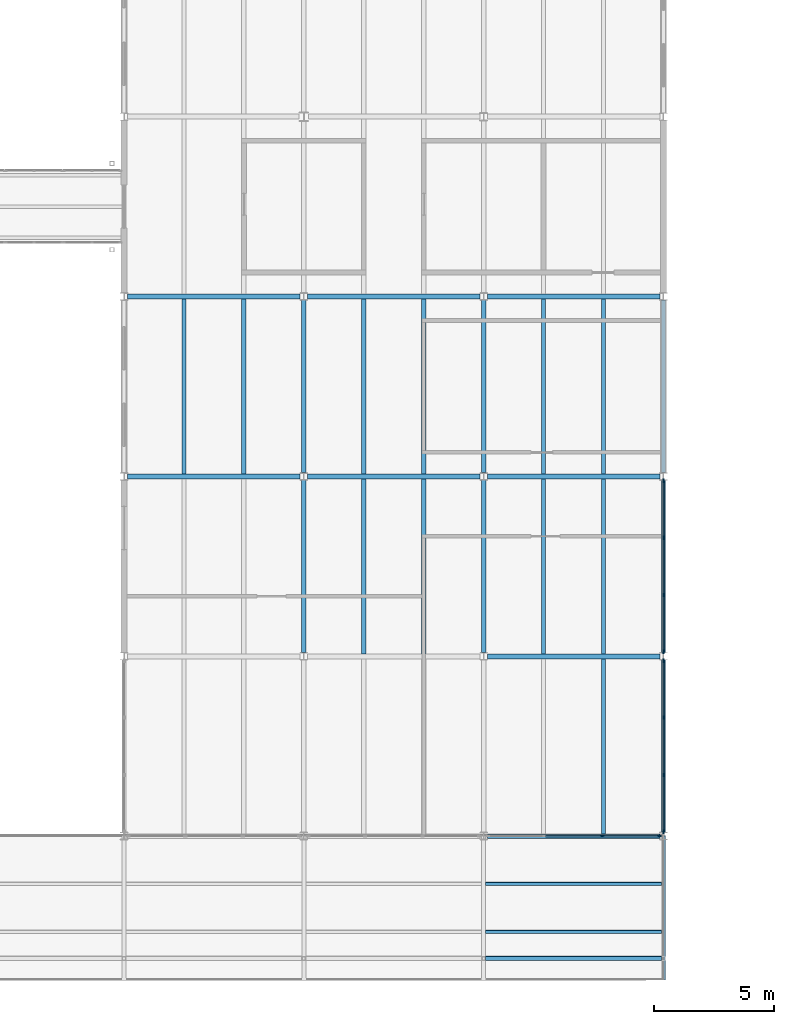
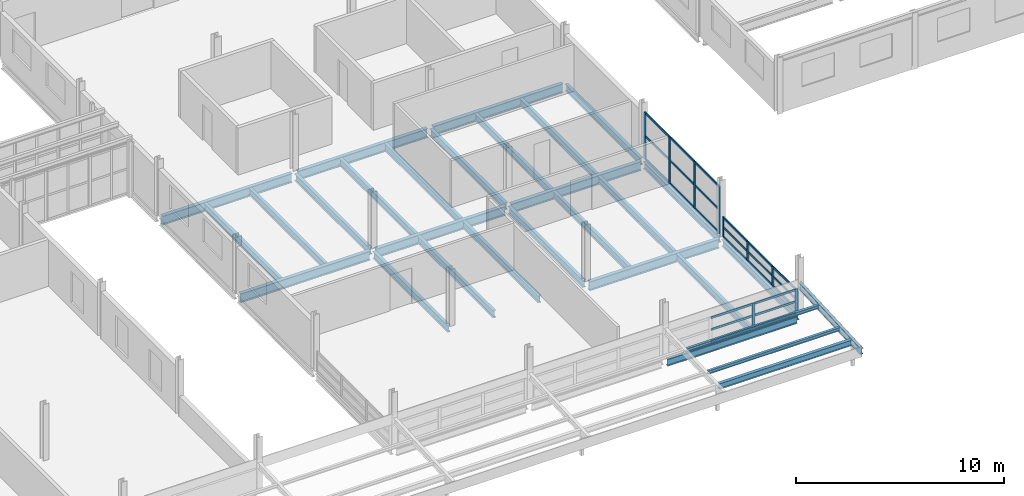
# One storey, part 49 of 214: 37 members, 27 beams, 3 elements without a shape of their own.
"""IFC4 building model written with IfcOpenShell, lengths in metres."""

from ifc_helpers import new_model, si_unit, direction, frame, origin, origin_2d, place, context, subcontext, project, spatial, rectangle, i_section, extrude, material, material_profile, profile_set, type_object, element, aggregate, save


model = new_model("IFC4")

# Units and contexts
model_context = context("Model", 3, precision=1e-05, world=origin(), true_north=direction((0.0, 1.0)))
body_context = subcontext(model_context, "Body", "Model", "MODEL_VIEW")
ifc_project = project(units=[si_unit("LENGTHUNIT", "METRE"), si_unit("AREAUNIT", "SQUARE_METRE"), si_unit("VOLUMEUNIT", "CUBIC_METRE"), si_unit("PLANEANGLEUNIT", "RADIAN"), si_unit("MASSUNIT", "GRAM", prefix="KILO")], contexts=[model_context])

# Site, building, storey
site_placement = place(None, origin())
site = spatial("IfcSite", under=ifc_project, at=site_placement, CompositionType="ELEMENT")
building_placement = place(site_placement, origin())
building = spatial("IfcBuilding", under=site, at=building_placement, Name="Parallax Yard Mobility Hub", CompositionType="ELEMENT")
storey_placement = place(building_placement, frame((0.0, 0.0, 3.300048828125)))
storey = spatial("IfcBuildingStorey", under=building, at=storey_placement, Name="L01", CompositionType="ELEMENT", Elevation=3.300048828125)

# Beam
ifc_material_1 = material(Name="Steel ASTM A992", Category="steel")
ifc_material_profile_1 = material_profile(ifc_material_1, i_section(OverallWidth=0.1708984375, OverallDepth=0.35498046875, WebThickness=0.007080078125, FlangeThickness=0.01171875, at=origin_2d()), Name="W360x51")
ifc_profile_set_1 = profile_set([ifc_material_profile_1], Name="Steel ASTM A992")
beam_type_1 = type_object("IfcBeamType", Name="Arcade edge beam W360x51", PredefinedType="SPANDREL", material=ifc_profile_set_1)
beam_1_placement = place(storey_placement, frame((165.08544921875, 2.408935546875, 1.378173828125), z_axis=(1.0, 0.0, 0.0), x_axis=(0.0, 0.998752343433, 0.049937525845)))
element("IfcBeam", 1, at=beam_1_placement, inside=storey, type_object=beam_type_1, Name="Arcade edge beam V6 bay 10", PredefinedType="SPANDREL", context=body_context, shape_type="SweptSolid", body=[
    extrude(i_section(OverallWidth=0.1708984375, OverallDepth=0.35498046875, WebThickness=0.007080078125, FlangeThickness=0.01171875, at=origin_2d()), origin(), (0.0, 0.0, 1.0), 7.3291015625),
])

# Members
ifc_material_profile_2 = material_profile(ifc_material_1, i_section(OverallWidth=0.133056640625, OverallDepth=0.20703125, WebThickness=0.005859375, FlangeThickness=0.00830078125, at=origin_2d()), Name="W200x27")
ifc_profile_set_2 = profile_set([ifc_material_profile_2], Name="Steel ASTM A992")
member_type_1 = type_object("IfcMemberType", Name="Arcade purlin W200x27", PredefinedType="PURLIN", material=ifc_profile_set_2)
for number, where, z_axis, x_axis, name in (
    (2, (165.08544921875, 3.505126953125, 1.507080078125), (1.0, 0.0, 0.0), (0.0, 0.998752343433, 0.049937525845), "Arcade purlin V6 bay 10 line 1"),
    (3, (165.08544921875, 5.505126953125, 1.60693359375), (1.0, 0.0, 0.0), (0.0, 0.998752343433, 0.049937525845), "Arcade purlin V6 bay 10 line 2"),
):
    element("IfcMember", number, at=place(storey_placement, frame(where, z_axis=z_axis, x_axis=x_axis)), inside=storey, type_object=member_type_1, Name=name, PredefinedType="PURLIN", context=body_context, shape_type="SweptSolid", body=[
        extrude(i_section(OverallWidth=0.133056640625, OverallDepth=0.20703125, WebThickness=0.005859375, FlangeThickness=0.00830078125, at=origin_2d()), origin(), (0.0, 0.0, 1.0), 7.3291015625),
    ])
ifc_material_profile_3 = material_profile(ifc_material_1, i_section(OverallWidth=0.1708984375, OverallDepth=0.35498046875, WebThickness=0.007080078125, FlangeThickness=0.01171875, at=origin_2d()), Name="W360x51")
ifc_profile_set_3 = profile_set([ifc_material_profile_3], Name="Steel ASTM A992")
member_type_2 = type_object("IfcMemberType", Name="Arcade rafter W360x51", PredefinedType="RAFTER", material=ifc_profile_set_3)
member_1_placement = place(storey_placement, frame((172.5, 1.518798828125, 1.333740234375), z_axis=(0.0, 0.998753861131, 0.049907162574), x_axis=(-1.0, 0.0, 0.0)))
element("IfcMember", 4, at=member_1_placement, inside=storey, type_object=member_type_2, Name="Arcade rafter V6 11", PredefinedType="RAFTER", context=body_context, shape_type="SweptSolid", body=[
    extrude(i_section(OverallWidth=0.1708984375, OverallDepth=0.35498046875, WebThickness=0.007080078125, FlangeThickness=0.01171875, at=origin_2d()), origin(), (0.0, 0.0, 1.0), 5.99755859375),
])

# Curtain wall, members
ifc_material_2 = material(Name="Thermally broken aluminium curtain wall system", Category="aluminium")
curtain_wall_type = type_object("IfcCurtainWallType", Name="Curtain wall run 60 x 160 frame", PredefinedType="NOTDEFINED", material=ifc_material_2)
curtain_wall_1_placement = place(storey_placement, origin())
curtain_wall_1 = element("IfcCurtainWall", 5, at=curtain_wall_1_placement, inside=storey, type_object=curtain_wall_type, Name="Curtain wall run Bicycle and shared-mobility hall south bay 3 level L01", PredefinedType="NOTDEFINED")
ifc_material_3 = material(Name="Extruded aluminium", Category="aluminium")
ifc_material_profile_4 = material_profile(ifc_material_3, rectangle(XDim=0.06005859375, YDim=0.159912109375, at=origin_2d()), Name="Mullion 60 x 160")
ifc_profile_set_4 = profile_set([ifc_material_profile_4], Name="Extruded aluminium")
member_type_3 = type_object("IfcMemberType", Name="Mullion 60 x 160", PredefinedType="MULLION", material=ifc_profile_set_4)
member_2_placement = place(storey_placement, frame((169.94873046875, 7.5, 0.0), z_axis=(0.0, 0.0, 1.0), x_axis=(0.0, 1.0, 0.0)))
member_2 = element("IfcMember", 6, at=member_2_placement, type_object=member_type_3, Name="CW1 mullion 3", PredefinedType="MULLION", context=body_context, shape_type="SweptSolid", body=[
    extrude(rectangle(XDim=0.06005859375, YDim=0.159912109375, at=origin_2d()), origin(), (0.0, 0.0, 1.0), 1.4404296875),
])
member_3_placement = place(storey_placement, frame((172.31640625, 7.5, 0.0), z_axis=(0.0, 0.0, 1.0), x_axis=(0.0, 1.0, 0.0)))
member_3 = element("IfcMember", 7, at=member_3_placement, type_object=member_type_3, Name="CW1 mullion 4", PredefinedType="MULLION", context=body_context, shape_type="SweptSolid", body=[
    extrude(rectangle(XDim=0.06005859375, YDim=0.159912109375, at=origin_2d()), origin(), (0.0, 0.0, 1.0), 1.4404296875),
])

curtain_wall_2_placement = place(storey_placement, origin())
curtain_wall_2 = element("IfcCurtainWall", 8, at=curtain_wall_2_placement, inside=storey, type_object=curtain_wall_type, Name="Curtain wall run Bicycle and shared-mobility hall east bay 1 level L01", PredefinedType="NOTDEFINED")
member_4_placement = place(storey_placement, frame((172.5, 7.68359375, 0.0), z_axis=(0.0, 0.0, 1.0), x_axis=(-1.0, 0.0, 0.0)))
member_4 = element("IfcMember", 9, at=member_4_placement, type_object=member_type_3, Name="CW1 mullion 1", PredefinedType="MULLION", context=body_context, shape_type="SweptSolid", body=[
    extrude(rectangle(XDim=0.06005859375, YDim=0.159912109375, at=origin_2d()), origin(), (0.0, 0.0, 1.0), 1.15625),
])
member_5_placement = place(storey_placement, frame((172.5, 10.05126953125, 0.0), z_axis=(0.0, 0.0, 1.0), x_axis=(-1.0, 0.0, 0.0)))
member_5 = element("IfcMember", 10, at=member_5_placement, type_object=member_type_3, Name="CW1 mullion 2", PredefinedType="MULLION", context=body_context, shape_type="SweptSolid", body=[
    extrude(rectangle(XDim=0.06005859375, YDim=0.159912109375, at=origin_2d()), origin(), (0.0, 0.0, 1.0), 1.15625),
])
member_6_placement = place(storey_placement, frame((172.5, 12.44873046875, 0.0), z_axis=(0.0, 0.0, 1.0), x_axis=(-1.0, 0.0, 0.0)))
member_6 = element("IfcMember", 11, at=member_6_placement, type_object=member_type_3, Name="CW1 mullion 3", PredefinedType="MULLION", context=body_context, shape_type="SweptSolid", body=[
    extrude(rectangle(XDim=0.06005859375, YDim=0.159912109375, at=origin_2d()), origin(), (0.0, 0.0, 1.0), 1.15625),
])
member_7_placement = place(storey_placement, frame((172.5, 14.81640625, 0.0), z_axis=(0.0, 0.0, 1.0), x_axis=(-1.0, 0.0, 0.0)))
member_7 = element("IfcMember", 12, at=member_7_placement, type_object=member_type_3, Name="CW1 mullion 4", PredefinedType="MULLION", context=body_context, shape_type="SweptSolid", body=[
    extrude(rectangle(XDim=0.06005859375, YDim=0.159912109375, at=origin_2d()), origin(), (0.0, 0.0, 1.0), 1.15625),
])

curtain_wall_3_placement = place(storey_placement, origin())
curtain_wall_3 = element("IfcCurtainWall", 13, at=curtain_wall_3_placement, inside=storey, type_object=curtain_wall_type, Name="Curtain wall run Bicycle and shared-mobility hall east bay 2 level L01", PredefinedType="NOTDEFINED")
member_8_placement = place(storey_placement, frame((172.5, 15.18359375, 0.0), z_axis=(0.0, 0.0, 1.0), x_axis=(-1.0, 0.0, 0.0)))
member_8 = element("IfcMember", 14, at=member_8_placement, type_object=member_type_3, Name="CW1 mullion 1", PredefinedType="MULLION", context=body_context, shape_type="SweptSolid", body=[
    extrude(rectangle(XDim=0.06005859375, YDim=0.159912109375, at=origin_2d()), origin(), (0.0, 0.0, 1.0), 2.7509765625),
])
member_9_placement = place(storey_placement, frame((172.5, 17.55126953125, 0.0), z_axis=(0.0, 0.0, 1.0), x_axis=(-1.0, 0.0, 0.0)))
member_9 = element("IfcMember", 15, at=member_9_placement, type_object=member_type_3, Name="CW1 mullion 2", PredefinedType="MULLION", context=body_context, shape_type="SweptSolid", body=[
    extrude(rectangle(XDim=0.06005859375, YDim=0.159912109375, at=origin_2d()), origin(), (0.0, 0.0, 1.0), 2.7509765625),
])
member_10_placement = place(storey_placement, frame((172.5, 19.94873046875, 0.0), z_axis=(0.0, 0.0, 1.0), x_axis=(-1.0, 0.0, 0.0)))
member_10 = element("IfcMember", 16, at=member_10_placement, type_object=member_type_3, Name="CW1 mullion 3", PredefinedType="MULLION", context=body_context, shape_type="SweptSolid", body=[
    extrude(rectangle(XDim=0.06005859375, YDim=0.159912109375, at=origin_2d()), origin(), (0.0, 0.0, 1.0), 2.7509765625),
])
member_11_placement = place(storey_placement, frame((172.5, 22.31640625, 0.0), z_axis=(0.0, 0.0, 1.0), x_axis=(-1.0, 0.0, 0.0)))
member_11 = element("IfcMember", 17, at=member_11_placement, type_object=member_type_3, Name="CW1 mullion 4", PredefinedType="MULLION", context=body_context, shape_type="SweptSolid", body=[
    extrude(rectangle(XDim=0.06005859375, YDim=0.159912109375, at=origin_2d()), origin(), (0.0, 0.0, 1.0), 2.7509765625),
])

# Member
ifc_material_profile_5 = material_profile(ifc_material_3, rectangle(XDim=0.06005859375, YDim=0.1201171875, at=origin_2d()), Name="Transom 60 x 120")
ifc_profile_set_5 = profile_set([ifc_material_profile_5], Name="Extruded aluminium")
member_type_4 = type_object("IfcMemberType", Name="Transom 60 x 120", PredefinedType="USERDEFINED", material=ifc_profile_set_5)
member_12_placement = place(storey_placement, frame((167.5810546875, 7.5, 0.030029296875), z_axis=(1.0, 0.0, 0.0), x_axis=(0.0, 1.0, 0.0)))
member_12 = element("IfcMember", 18, at=member_12_placement, type_object=member_type_4, Name="CW1 transom 2.1", ObjectType="TRANSOM", PredefinedType="USERDEFINED", context=body_context, shape_type="SweptSolid", body=[
    extrude(rectangle(XDim=0.06005859375, YDim=0.1201171875, at=origin_2d()), origin(), (0.0, 0.0, 1.0), 2.337890625),
])

member_13_placement = place(storey_placement, frame((167.5810546875, 7.5, 0.72021484375), z_axis=(1.0, 0.0, 0.0), x_axis=(0.0, 1.0, 0.0)))
member_13 = element("IfcMember", 19, at=member_13_placement, type_object=member_type_4, Name="CW1 transom 2.2", ObjectType="TRANSOM", PredefinedType="USERDEFINED", context=body_context, shape_type="SweptSolid", body=[
    extrude(rectangle(XDim=0.06005859375, YDim=0.1201171875, at=origin_2d()), origin(), (0.0, 0.0, 1.0), 2.337890625),
])

member_14_placement = place(storey_placement, frame((167.5810546875, 7.5, 1.410400390625), z_axis=(1.0, 0.0, 0.0), x_axis=(0.0, 1.0, 0.0)))
member_14 = element("IfcMember", 20, at=member_14_placement, type_object=member_type_4, Name="CW1 transom 2.3", ObjectType="TRANSOM", PredefinedType="USERDEFINED", context=body_context, shape_type="SweptSolid", body=[
    extrude(rectangle(XDim=0.06005859375, YDim=0.1201171875, at=origin_2d()), origin(), (0.0, 0.0, 1.0), 2.337890625),
])

member_15_placement = place(storey_placement, frame((169.978759765625, 7.5, 0.030029296875), z_axis=(1.0, 0.0, 0.0), x_axis=(0.0, 1.0, 0.0)))
member_15 = element("IfcMember", 21, at=member_15_placement, type_object=member_type_4, Name="CW1 transom 3.1", ObjectType="TRANSOM", PredefinedType="USERDEFINED", context=body_context, shape_type="SweptSolid", body=[
    extrude(rectangle(XDim=0.06005859375, YDim=0.1201171875, at=origin_2d()), origin(), (0.0, 0.0, 1.0), 2.307861328125),
])

member_16_placement = place(storey_placement, frame((169.978759765625, 7.5, 0.72021484375), z_axis=(1.0, 0.0, 0.0), x_axis=(0.0, 1.0, 0.0)))
member_16 = element("IfcMember", 22, at=member_16_placement, type_object=member_type_4, Name="CW1 transom 3.2", ObjectType="TRANSOM", PredefinedType="USERDEFINED", context=body_context, shape_type="SweptSolid", body=[
    extrude(rectangle(XDim=0.06005859375, YDim=0.1201171875, at=origin_2d()), origin(), (0.0, 0.0, 1.0), 2.307861328125),
])

member_17_placement = place(storey_placement, frame((169.978759765625, 7.5, 1.410400390625), z_axis=(1.0, 0.0, 0.0), x_axis=(0.0, 1.0, 0.0)))
member_17 = element("IfcMember", 23, at=member_17_placement, type_object=member_type_4, Name="CW1 transom 3.3", ObjectType="TRANSOM", PredefinedType="USERDEFINED", context=body_context, shape_type="SweptSolid", body=[
    extrude(rectangle(XDim=0.06005859375, YDim=0.1201171875, at=origin_2d()), origin(), (0.0, 0.0, 1.0), 2.307861328125),
])

aggregate(curtain_wall_1, [member_2, member_3, member_12, member_13, member_14, member_15, member_16, member_17])

member_18_placement = place(storey_placement, frame((172.5, 7.71337890625, 0.030029296875), z_axis=(0.0, 1.0, 0.0), x_axis=(-1.0, 0.0, 0.0)))
member_18 = element("IfcMember", 24, at=member_18_placement, type_object=member_type_4, Name="CW1 transom 1.1", ObjectType="TRANSOM", PredefinedType="USERDEFINED", context=body_context, shape_type="SweptSolid", body=[
    extrude(rectangle(XDim=0.06005859375, YDim=0.1201171875, at=origin_2d()), origin(), (0.0, 0.0, 1.0), 2.307861328125),
])

member_19_placement = place(storey_placement, frame((172.5, 7.71337890625, 0.578125), z_axis=(0.0, 1.0, 0.0), x_axis=(-1.0, 0.0, 0.0)))
member_19 = element("IfcMember", 25, at=member_19_placement, type_object=member_type_4, Name="CW1 transom 1.2", ObjectType="TRANSOM", PredefinedType="USERDEFINED", context=body_context, shape_type="SweptSolid", body=[
    extrude(rectangle(XDim=0.06005859375, YDim=0.1201171875, at=origin_2d()), origin(), (0.0, 0.0, 1.0), 2.307861328125),
])

member_20_placement = place(storey_placement, frame((172.5, 7.71337890625, 1.126220703125), z_axis=(0.0, 1.0, 0.0), x_axis=(-1.0, 0.0, 0.0)))
member_20 = element("IfcMember", 26, at=member_20_placement, type_object=member_type_4, Name="CW1 transom 1.3", ObjectType="TRANSOM", PredefinedType="USERDEFINED", context=body_context, shape_type="SweptSolid", body=[
    extrude(rectangle(XDim=0.06005859375, YDim=0.1201171875, at=origin_2d()), origin(), (0.0, 0.0, 1.0), 2.307861328125),
])

member_21_placement = place(storey_placement, frame((172.5, 10.0810546875, 0.030029296875), z_axis=(0.0, 1.0, 0.0), x_axis=(-1.0, 0.0, 0.0)))
member_21 = element("IfcMember", 27, at=member_21_placement, type_object=member_type_4, Name="CW1 transom 2.1", ObjectType="TRANSOM", PredefinedType="USERDEFINED", context=body_context, shape_type="SweptSolid", body=[
    extrude(rectangle(XDim=0.06005859375, YDim=0.1201171875, at=origin_2d()), origin(), (0.0, 0.0, 1.0), 2.337890625),
])

member_22_placement = place(storey_placement, frame((172.5, 10.0810546875, 0.578125), z_axis=(0.0, 1.0, 0.0), x_axis=(-1.0, 0.0, 0.0)))
member_22 = element("IfcMember", 28, at=member_22_placement, type_object=member_type_4, Name="CW1 transom 2.2", ObjectType="TRANSOM", PredefinedType="USERDEFINED", context=body_context, shape_type="SweptSolid", body=[
    extrude(rectangle(XDim=0.06005859375, YDim=0.1201171875, at=origin_2d()), origin(), (0.0, 0.0, 1.0), 2.337890625),
])

member_23_placement = place(storey_placement, frame((172.5, 10.0810546875, 1.126220703125), z_axis=(0.0, 1.0, 0.0), x_axis=(-1.0, 0.0, 0.0)))
member_23 = element("IfcMember", 29, at=member_23_placement, type_object=member_type_4, Name="CW1 transom 2.3", ObjectType="TRANSOM", PredefinedType="USERDEFINED", context=body_context, shape_type="SweptSolid", body=[
    extrude(rectangle(XDim=0.06005859375, YDim=0.1201171875, at=origin_2d()), origin(), (0.0, 0.0, 1.0), 2.337890625),
])

member_24_placement = place(storey_placement, frame((172.5, 12.478759765625, 0.030029296875), z_axis=(0.0, 1.0, 0.0), x_axis=(-1.0, 0.0, 0.0)))
member_24 = element("IfcMember", 30, at=member_24_placement, type_object=member_type_4, Name="CW1 transom 3.1", ObjectType="TRANSOM", PredefinedType="USERDEFINED", context=body_context, shape_type="SweptSolid", body=[
    extrude(rectangle(XDim=0.06005859375, YDim=0.1201171875, at=origin_2d()), origin(), (0.0, 0.0, 1.0), 2.307861328125),
])

member_25_placement = place(storey_placement, frame((172.5, 12.478759765625, 0.578125), z_axis=(0.0, 1.0, 0.0), x_axis=(-1.0, 0.0, 0.0)))
member_25 = element("IfcMember", 31, at=member_25_placement, type_object=member_type_4, Name="CW1 transom 3.2", ObjectType="TRANSOM", PredefinedType="USERDEFINED", context=body_context, shape_type="SweptSolid", body=[
    extrude(rectangle(XDim=0.06005859375, YDim=0.1201171875, at=origin_2d()), origin(), (0.0, 0.0, 1.0), 2.307861328125),
])

member_26_placement = place(storey_placement, frame((172.5, 12.478759765625, 1.126220703125), z_axis=(0.0, 1.0, 0.0), x_axis=(-1.0, 0.0, 0.0)))
member_26 = element("IfcMember", 32, at=member_26_placement, type_object=member_type_4, Name="CW1 transom 3.3", ObjectType="TRANSOM", PredefinedType="USERDEFINED", context=body_context, shape_type="SweptSolid", body=[
    extrude(rectangle(XDim=0.06005859375, YDim=0.1201171875, at=origin_2d()), origin(), (0.0, 0.0, 1.0), 2.307861328125),
])

aggregate(curtain_wall_2, [member_4, member_5, member_6, member_7, member_18, member_19, member_20, member_21, member_22, member_23, member_24, member_25, member_26])

member_27_placement = place(storey_placement, frame((172.5, 15.21337890625, 0.030029296875), z_axis=(0.0, 1.0, 0.0), x_axis=(-1.0, 0.0, 0.0)))
member_27 = element("IfcMember", 33, at=member_27_placement, type_object=member_type_4, Name="CW1 transom 1.1", ObjectType="TRANSOM", PredefinedType="USERDEFINED", context=body_context, shape_type="SweptSolid", body=[
    extrude(rectangle(XDim=0.06005859375, YDim=0.1201171875, at=origin_2d()), origin(), (0.0, 0.0, 1.0), 2.307861328125),
])

member_28_placement = place(storey_placement, frame((172.5, 15.21337890625, 1.37548828125), z_axis=(0.0, 1.0, 0.0), x_axis=(-1.0, 0.0, 0.0)))
member_28 = element("IfcMember", 34, at=member_28_placement, type_object=member_type_4, Name="CW1 transom 1.2", ObjectType="TRANSOM", PredefinedType="USERDEFINED", context=body_context, shape_type="SweptSolid", body=[
    extrude(rectangle(XDim=0.06005859375, YDim=0.1201171875, at=origin_2d()), origin(), (0.0, 0.0, 1.0), 2.307861328125),
])

member_29_placement = place(storey_placement, frame((172.5, 15.21337890625, 2.720947265625), z_axis=(0.0, 1.0, 0.0), x_axis=(-1.0, 0.0, 0.0)))
member_29 = element("IfcMember", 35, at=member_29_placement, type_object=member_type_4, Name="CW1 transom 1.3", ObjectType="TRANSOM", PredefinedType="USERDEFINED", context=body_context, shape_type="SweptSolid", body=[
    extrude(rectangle(XDim=0.06005859375, YDim=0.1201171875, at=origin_2d()), origin(), (0.0, 0.0, 1.0), 2.307861328125),
])

member_30_placement = place(storey_placement, frame((172.5, 17.5810546875, 0.030029296875), z_axis=(0.0, 1.0, 0.0), x_axis=(-1.0, 0.0, 0.0)))
member_30 = element("IfcMember", 36, at=member_30_placement, type_object=member_type_4, Name="CW1 transom 2.1", ObjectType="TRANSOM", PredefinedType="USERDEFINED", context=body_context, shape_type="SweptSolid", body=[
    extrude(rectangle(XDim=0.06005859375, YDim=0.1201171875, at=origin_2d()), origin(), (0.0, 0.0, 1.0), 2.337890625),
])

member_31_placement = place(storey_placement, frame((172.5, 17.5810546875, 1.37548828125), z_axis=(0.0, 1.0, 0.0), x_axis=(-1.0, 0.0, 0.0)))
member_31 = element("IfcMember", 37, at=member_31_placement, type_object=member_type_4, Name="CW1 transom 2.2", ObjectType="TRANSOM", PredefinedType="USERDEFINED", context=body_context, shape_type="SweptSolid", body=[
    extrude(rectangle(XDim=0.06005859375, YDim=0.1201171875, at=origin_2d()), origin(), (0.0, 0.0, 1.0), 2.337890625),
])

member_32_placement = place(storey_placement, frame((172.5, 17.5810546875, 2.720947265625), z_axis=(0.0, 1.0, 0.0), x_axis=(-1.0, 0.0, 0.0)))
member_32 = element("IfcMember", 38, at=member_32_placement, type_object=member_type_4, Name="CW1 transom 2.3", ObjectType="TRANSOM", PredefinedType="USERDEFINED", context=body_context, shape_type="SweptSolid", body=[
    extrude(rectangle(XDim=0.06005859375, YDim=0.1201171875, at=origin_2d()), origin(), (0.0, 0.0, 1.0), 2.337890625),
])

member_33_placement = place(storey_placement, frame((172.5, 19.978759765625, 0.030029296875), z_axis=(0.0, 1.0, 0.0), x_axis=(-1.0, 0.0, 0.0)))
member_33 = element("IfcMember", 39, at=member_33_placement, type_object=member_type_4, Name="CW1 transom 3.1", ObjectType="TRANSOM", PredefinedType="USERDEFINED", context=body_context, shape_type="SweptSolid", body=[
    extrude(rectangle(XDim=0.06005859375, YDim=0.1201171875, at=origin_2d()), origin(), (0.0, 0.0, 1.0), 2.307861328125),
])

member_34_placement = place(storey_placement, frame((172.5, 19.978759765625, 1.37548828125), z_axis=(0.0, 1.0, 0.0), x_axis=(-1.0, 0.0, 0.0)))
member_34 = element("IfcMember", 40, at=member_34_placement, type_object=member_type_4, Name="CW1 transom 3.2", ObjectType="TRANSOM", PredefinedType="USERDEFINED", context=body_context, shape_type="SweptSolid", body=[
    extrude(rectangle(XDim=0.06005859375, YDim=0.1201171875, at=origin_2d()), origin(), (0.0, 0.0, 1.0), 2.307861328125),
])

member_35_placement = place(storey_placement, frame((172.5, 19.978759765625, 2.720947265625), z_axis=(0.0, 1.0, 0.0), x_axis=(-1.0, 0.0, 0.0)))
member_35 = element("IfcMember", 41, at=member_35_placement, type_object=member_type_4, Name="CW1 transom 3.3", ObjectType="TRANSOM", PredefinedType="USERDEFINED", context=body_context, shape_type="SweptSolid", body=[
    extrude(rectangle(XDim=0.06005859375, YDim=0.1201171875, at=origin_2d()), origin(), (0.0, 0.0, 1.0), 2.307861328125),
])

aggregate(curtain_wall_3, [member_8, member_9, member_10, member_11, member_27, member_28, member_29, member_30, member_31, member_32, member_33, member_34, member_35])

# Beams
ifc_material_profile_6 = material_profile(ifc_material_1, i_section(OverallWidth=0.177978515625, OverallDepth=0.406005859375, WebThickness=0.0078125, FlangeThickness=0.0126953125, FilletRadius=0.01025390625, at=origin_2d()), Name="W410x60")
ifc_profile_set_6 = profile_set([ifc_material_profile_6], Name="Steel ASTM A992")
beam_type_2 = type_object("IfcBeamType", Name="W410x60 secondary beam", PredefinedType="JOIST", material=ifc_profile_set_6)
for number, where, z_axis, x_axis, name in (
    (42, (152.5, 22.6044921875, -0.343017578125), (0.0, 1.0, 0.0), (-1.0, 0.0, 0.0), "Secondary beam B1 level L01, 2.5 m east of line 21 of bicycle and shared-mobility hall, span 3"),
    (43, (160.0, 15.1044921875, -0.343017578125), (0.0, 1.0, 0.0), (-1.0, 0.0, 0.0), "Secondary beam B1 level L01, 2.5 m east of line 22 of bicycle and shared-mobility hall, span 2"),
    (44, (160.0, 22.6044921875, -0.343017578125), (0.0, 1.0, 0.0), (-1.0, 0.0, 0.0), "Secondary beam B1 level L01, 2.5 m east of line 22 of bicycle and shared-mobility hall, span 3"),
    (45, (167.5, 15.1044921875, -0.343017578125), (0.0, 1.0, 0.0), (-1.0, 0.0, 0.0), "Secondary beam B1 level L01, 2.5 m east of line 23 of bicycle and shared-mobility hall, span 2"),
    (46, (167.5, 22.6044921875, -0.343017578125), (0.0, 1.0, 0.0), (-1.0, 0.0, 0.0), "Secondary beam B1 level L01, 2.5 m east of line 23 of bicycle and shared-mobility hall, span 3"),
    (47, (155.0, 22.6044921875, -0.343017578125), (0.0, 1.0, 0.0), (-1.0, 0.0, 0.0), "Secondary beam B1 level L01, 5 m east of line 21 of bicycle and shared-mobility hall, span 3"),
    (48, (162.5, 15.1044921875, -0.343017578125), (0.0, 1.0, 0.0), (-1.0, 0.0, 0.0), "Secondary beam B1 level L01, 5 m east of line 22 of bicycle and shared-mobility hall, span 2"),
    (49, (162.5, 22.6044921875, -0.343017578125), (0.0, 1.0, 0.0), (-1.0, 0.0, 0.0), "Secondary beam B1 level L01, 5 m east of line 22 of bicycle and shared-mobility hall, span 3"),
):
    element("IfcBeam", number, at=place(storey_placement, frame(where, z_axis=z_axis, x_axis=x_axis)), inside=storey, type_object=beam_type_2, Name=name, PredefinedType="JOIST", context=body_context, shape_type="SweptSolid", body=[
        extrude(i_section(OverallWidth=0.177978515625, OverallDepth=0.406005859375, WebThickness=0.0078125, FlangeThickness=0.0126953125, FilletRadius=0.01025390625, at=origin_2d()), origin(), (0.0, 0.0, 1.0), 7.291015625),
    ])
beam_2_placement = place(storey_placement, frame((170.0, 7.589599609375, -0.343017578125), z_axis=(0.0, 1.0, 0.0), x_axis=(-1.0, 0.0, 0.0)))
element("IfcBeam", 50, at=beam_2_placement, inside=storey, type_object=beam_type_2, Name="Secondary beam B1 level L01, 5 m east of line 23 of bicycle and shared-mobility hall, span 1", PredefinedType="JOIST", context=body_context, shape_type="SweptSolid", body=[
    extrude(i_section(OverallWidth=0.177978515625, OverallDepth=0.406005859375, WebThickness=0.0078125, FlangeThickness=0.0126953125, FilletRadius=0.01025390625, at=origin_2d()), origin(), (0.0, 0.0, 1.0), 7.305908203125),
])
for number, where, z_axis, x_axis, name in (
    (51, (170.0, 15.1044921875, -0.343017578125), (0.0, 1.0, 0.0), (-1.0, 0.0, 0.0), "Secondary beam B1 level L01, 5 m east of line 23 of bicycle and shared-mobility hall, span 2"),
    (52, (170.0, 22.6044921875, -0.343017578125), (0.0, 1.0, 0.0), (-1.0, 0.0, 0.0), "Secondary beam B1 level L01, 5 m east of line 23 of bicycle and shared-mobility hall, span 3"),
):
    element("IfcBeam", number, at=place(storey_placement, frame(where, z_axis=z_axis, x_axis=x_axis)), inside=storey, type_object=beam_type_2, Name=name, PredefinedType="JOIST", context=body_context, shape_type="SweptSolid", body=[
        extrude(i_section(OverallWidth=0.177978515625, OverallDepth=0.406005859375, WebThickness=0.0078125, FlangeThickness=0.0126953125, FilletRadius=0.01025390625, at=origin_2d()), origin(), (0.0, 0.0, 1.0), 7.291015625),
    ])
ifc_material_profile_7 = material_profile(ifc_material_1, i_section(OverallWidth=0.178955078125, OverallDepth=0.408935546875, WebThickness=0.0087890625, FlangeThickness=0.014404296875, FilletRadius=0.01025390625, at=origin_2d()), Name="W410x67")
ifc_profile_set_7 = profile_set([ifc_material_profile_7], Name="Steel ASTM A992")
beam_type_3 = type_object("IfcBeamType", Name="W410x67 edge beam", PredefinedType="SPANDREL", material=ifc_profile_set_7)
for number, where, z_axis, x_axis, name in (
    (53, (172.5, 7.653564453125, -0.344482421875), (0.0, 1.0, 0.0), (-1.0, 0.0, 0.0), "Edge beam SB3 level L01, line 24 of bicycle and shared-mobility hall, span 1"),
    (54, (172.5, 15.153564453125, -0.344482421875), (0.0, 1.0, 0.0), (-1.0, 0.0, 0.0), "Edge beam SB3 level L01, line 24 of bicycle and shared-mobility hall, span 2"),
    (55, (172.5, 22.653564453125, -0.344482421875), (0.0, 1.0, 0.0), (-1.0, 0.0, 0.0), "Edge beam SB3 level L01, line 24 of bicycle and shared-mobility hall, span 3"),
):
    element("IfcBeam", number, at=place(storey_placement, frame(where, z_axis=z_axis, x_axis=x_axis)), inside=storey, type_object=beam_type_3, Name=name, PredefinedType="SPANDREL", context=body_context, shape_type="SweptSolid", body=[
        extrude(i_section(OverallWidth=0.178955078125, OverallDepth=0.408935546875, WebThickness=0.0087890625, FlangeThickness=0.014404296875, FilletRadius=0.01025390625, at=origin_2d()), origin(), (0.0, 0.0, 1.0), 7.19287109375),
    ])
beam_3_placement = place(storey_placement, frame((165.152587890625, 7.5, -0.344482421875), z_axis=(1.0, 0.0, 0.0), x_axis=(0.0, 1.0, 0.0)))
element("IfcBeam", 56, at=beam_3_placement, inside=storey, type_object=beam_type_3, Name="Edge beam SB3 level L01, line B of bicycle and shared-mobility hall, span 3", PredefinedType="SPANDREL", context=body_context, shape_type="SweptSolid", body=[
    extrude(i_section(OverallWidth=0.178955078125, OverallDepth=0.408935546875, WebThickness=0.0087890625, FlangeThickness=0.014404296875, FilletRadius=0.01025390625, at=origin_2d()), origin(), (0.0, 0.0, 1.0), 7.19482421875),
])
ifc_material_profile_8 = material_profile(ifc_material_1, i_section(OverallWidth=0.178955078125, OverallDepth=0.408935546875, WebThickness=0.0087890625, FlangeThickness=0.014404296875, FilletRadius=0.01025390625, at=origin_2d()), Name="W410x67")
ifc_profile_set_8 = profile_set([ifc_material_profile_8], Name="Steel ASTM A992")
beam_type_4 = type_object("IfcBeamType", Name="W410x67 girder", PredefinedType="BEAM", material=ifc_profile_set_8)
for number, where, z_axis, x_axis, name in (
    (57, (157.5, 15.153564453125, -0.344482421875), (0.0, 1.0, 0.0), (-1.0, 0.0, 0.0), "Girder G1 level L01, line 22 of bicycle and shared-mobility hall, span 2"),
    (58, (157.5, 22.653564453125, -0.344482421875), (0.0, 1.0, 0.0), (-1.0, 0.0, 0.0), "Girder G1 level L01, line 22 of bicycle and shared-mobility hall, span 3"),
    (59, (165.0, 15.153564453125, -0.344482421875), (0.0, 1.0, 0.0), (-1.0, 0.0, 0.0), "Girder G1 level L01, line 23 of bicycle and shared-mobility hall, span 2"),
    (60, (165.0, 22.653564453125, -0.344482421875), (0.0, 1.0, 0.0), (-1.0, 0.0, 0.0), "Girder G1 level L01, line 23 of bicycle and shared-mobility hall, span 3"),
):
    element("IfcBeam", number, at=place(storey_placement, frame(where, z_axis=z_axis, x_axis=x_axis)), inside=storey, type_object=beam_type_4, Name=name, PredefinedType="BEAM", context=body_context, shape_type="SweptSolid", body=[
        extrude(i_section(OverallWidth=0.178955078125, OverallDepth=0.408935546875, WebThickness=0.0087890625, FlangeThickness=0.014404296875, FilletRadius=0.01025390625, at=origin_2d()), origin(), (0.0, 0.0, 1.0), 7.19287109375),
    ])
ifc_material_profile_9 = material_profile(ifc_material_1, i_section(OverallWidth=0.208984375, OverallDepth=0.532958984375, WebThickness=0.01025390625, FlangeThickness=0.015625, FilletRadius=0.0126953125, at=origin_2d()), Name="W530x92")
ifc_profile_set_9 = profile_set([ifc_material_profile_9], Name="Steel ASTM A992")
beam_type_5 = type_object("IfcBeamType", Name="W530x92 longitudinal beam", PredefinedType="BEAM", material=ifc_profile_set_9)
for number, where, z_axis, x_axis, name in (
    (61, (165.152587890625, 15.0, -0.406494140625), (1.0, 0.0, 0.0), (0.0, 1.0, 0.0), "Longitudinal beam SB6 level L01, line C of bicycle and shared-mobility hall, span 3"),
    (62, (150.152587890625, 22.5, -0.406494140625), (1.0, 0.0, 0.0), (0.0, 1.0, 0.0), "Longitudinal beam SB6 level L01, line D of bicycle and shared-mobility hall, span 1"),
    (63, (157.652587890625, 22.5, -0.406494140625), (1.0, 0.0, 0.0), (0.0, 1.0, 0.0), "Longitudinal beam SB6 level L01, line D of bicycle and shared-mobility hall, span 2"),
    (64, (165.152587890625, 22.5, -0.406494140625), (1.0, 0.0, 0.0), (0.0, 1.0, 0.0), "Longitudinal beam SB6 level L01, line D of bicycle and shared-mobility hall, span 3"),
    (65, (150.152587890625, 30.0, -0.406494140625), (1.0, 0.0, 0.0), (0.0, 1.0, 0.0), "Longitudinal beam SB6 level L01, line E of bicycle and shared-mobility hall, span 1"),
    (66, (157.652587890625, 30.0, -0.406494140625), (1.0, 0.0, 0.0), (0.0, 1.0, 0.0), "Longitudinal beam SB6 level L01, line E of bicycle and shared-mobility hall, span 2"),
    (67, (165.152587890625, 30.0, -0.406494140625), (1.0, 0.0, 0.0), (0.0, 1.0, 0.0), "Longitudinal beam SB6 level L01, line E of bicycle and shared-mobility hall, span 3"),
):
    element("IfcBeam", number, at=place(storey_placement, frame(where, z_axis=z_axis, x_axis=x_axis)), inside=storey, type_object=beam_type_5, Name=name, PredefinedType="BEAM", context=body_context, shape_type="SweptSolid", body=[
        extrude(i_section(OverallWidth=0.208984375, OverallDepth=0.532958984375, WebThickness=0.01025390625, FlangeThickness=0.015625, FilletRadius=0.0126953125, at=origin_2d()), origin(), (0.0, 0.0, 1.0), 7.19482421875),
    ])

save(model, "model.ifc")
